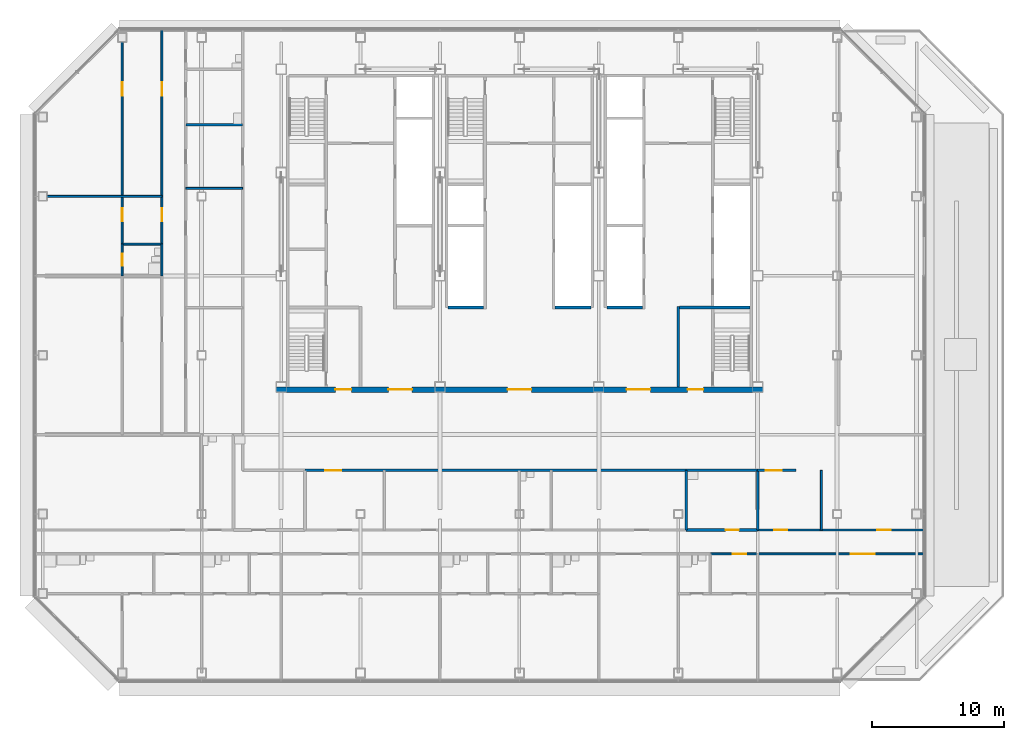
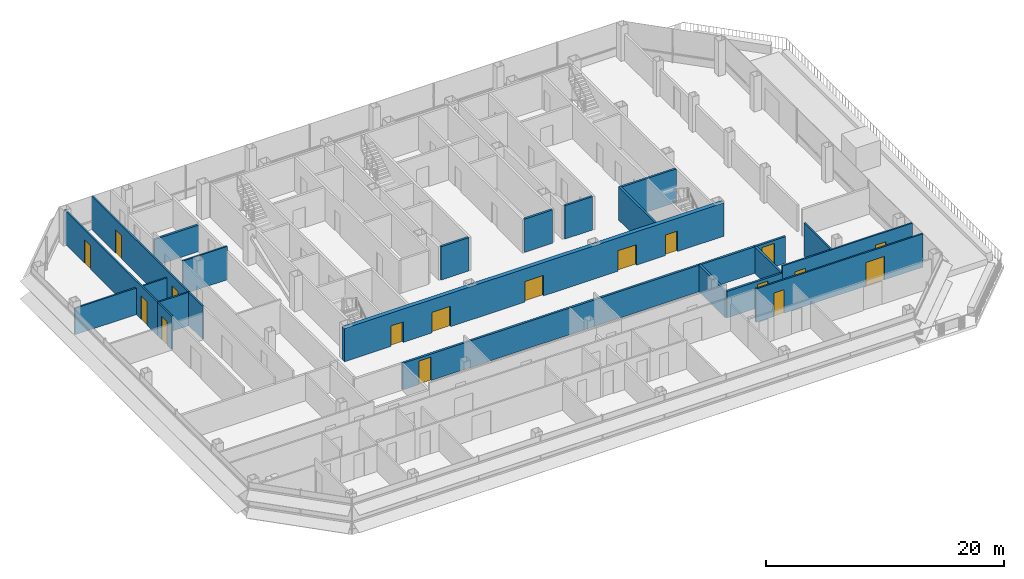
# One storey, part 19 of 27: 23 walls, 17 doors, 17 openings.
"""IFC4 building model written with IfcOpenShell, lengths in metres."""

import ifcopenshell
import ifcopenshell.guid

model = None  # the IFC model being written
_history = None  # IfcOwnerHistory: only IFC2X3 demands one
_inside = {}  # id of a spatial element -> (the spatial element, [elements in it])
_under = {}  # id of a project, library or spatial element -> (it, [spatial elements below it])
_declared = {}  # id of a project -> (the project, [libraries it declares])
_typed = {}  # id of a type object -> (the type object, [elements of that type])
_made_of = {}  # id of a material, layer set ... -> (it, [elements and type objects made of it])


def new_model(schema):
    """Start an empty IFC model of exactly this schema.

    Asked for "IFC4X3", IfcOpenShell would pick the latest addendum, in which some entities
    have other attributes; the version numbers below select the first issue.
    IFC2X3 requires an IfcOwnerHistory on every rooted entity: one is made here for all.
    """
    global model, _history
    if schema == "IFC4X3":
        model = ifcopenshell.file(schema_version=(4, 3, 0, 0))
    else:
        model = ifcopenshell.file(schema=schema)
    _inside.clear()
    _under.clear()
    _declared.clear()
    _typed.clear()
    _made_of.clear()
    _history = None
    if model.schema == "IFC2X3":
        org = make("IfcOrganization", Name="unknown")
        user = make(
            "IfcPersonAndOrganization",
            ThePerson=make("IfcPerson", FamilyName="unknown"),
            TheOrganization=org,
        )
        app = make(
            "IfcApplication",
            ApplicationDeveloper=org,
            Version="unknown",
            ApplicationFullName="unknown",
            ApplicationIdentifier="unknown",
        )
        _history = make(
            "IfcOwnerHistory",
            OwningUser=user,
            OwningApplication=app,
            ChangeAction="ADDED",
            CreationDate=0,
        )
    return model


def make(cls, **values):
    """One entity of the class cls with the attributes given. An attribute that is None is left unset."""
    return model.create_entity(
        cls, **{name: value for name, value in values.items() if value is not None}
    )


def rooted(cls, **values):
    """An entity with a GlobalId (a new one), such as an element, a storey or a relation."""
    return make(cls, GlobalId=ifcopenshell.guid.new(), OwnerHistory=_history, **values)


def si_unit(unit_type, name, prefix=None):
    """IfcSIUnit, for example si_unit("LENGTHUNIT", "METRE", prefix="MILLI")."""
    return make("IfcSIUnit", UnitType=unit_type, Prefix=prefix, Name=name)


def assignment(units):
    """IfcUnitAssignment: the units of a project."""
    return None if units is None else make("IfcUnitAssignment", Units=units)


def point(xyz):
    """IfcCartesianPoint."""
    return None if xyz is None else make("IfcCartesianPoint", Coordinates=xyz)


def direction(xyz):
    """IfcDirection."""
    return None if xyz is None else make("IfcDirection", DirectionRatios=xyz)


def frame(location, z_axis=None, x_axis=None):
    """IfcAxis2Placement3D, a coordinate frame: its origin and axes. An axis left out is left unset."""
    return make(
        "IfcAxis2Placement3D",
        Location=point(location),
        Axis=direction(z_axis),
        RefDirection=direction(x_axis),
    )


def frame_2d(location, x_axis=None):
    """IfcAxis2Placement2D, a coordinate frame in the plane: its origin and x axis."""
    return make(
        "IfcAxis2Placement2D", Location=point(location), RefDirection=direction(x_axis)
    )


def origin():
    """The frame at (0, 0, 0) with its axes left unset."""
    return frame((0.0, 0.0, 0.0))


def place(relative_to, where):
    """IfcLocalPlacement: puts the frame where relative to a parent placement (None: the world)."""
    return make(
        "IfcLocalPlacement", PlacementRelTo=relative_to, RelativePlacement=where
    )


def context(
    kind, dimensions, precision=None, world=None, true_north=None, identifier=None
):
    """IfcGeometricRepresentationContext, for example the 3D "Model" context."""
    return make(
        "IfcGeometricRepresentationContext",
        ContextIdentifier=identifier,
        ContextType=kind,
        CoordinateSpaceDimension=dimensions,
        Precision=precision,
        WorldCoordinateSystem=world,
        TrueNorth=true_north,
    )


def subcontext(parent, identifier, kind, view, scale=None):
    """IfcGeometricRepresentationSubContext, for example "Body" below "Model"."""
    return make(
        "IfcGeometricRepresentationSubContext",
        ContextIdentifier=identifier,
        ContextType=kind,
        ParentContext=parent,
        TargetScale=scale,
        TargetView=view,
    )


def project(units=None, contexts=None):
    """IfcProject with its units and contexts."""
    return rooted(
        "IfcProject",
        Name="project",
        RepresentationContexts=contexts,
        UnitsInContext=assignment(units),
    )


def spatial(cls, under=None, at=None, **own):
    """A site, building, storey or space (cls), placed at a placement, below another one or the project."""
    s = rooted(cls, ObjectPlacement=at, **own)
    if under is not None:
        _under.setdefault(under.id(), (under, []))[1].append(s)
    return s


def profile(cls, at=None, kind="AREA", **sizes):
    """A parametric profile (cls). Its sizes go by their IFC names, for example OverallWidth=200.0."""
    return make(cls, ProfileType=kind, Position=at, **sizes)


def rectangle(**sizes):
    """IfcRectangleProfileDef."""
    return profile("IfcRectangleProfileDef", **sizes)


def extrude(swept, where, along, depth):
    """IfcExtrudedAreaSolid: the profile swept, set in the frame where, extruded along a direction by depth."""
    return make(
        "IfcExtrudedAreaSolid",
        SweptArea=swept,
        Position=where,
        ExtrudedDirection=direction(along),
        Depth=depth,
    )


def shape(context_of_items, identifier, shape_type, items):
    """IfcShapeRepresentation: the items that make up one representation, for example the "Body"."""
    return make(
        "IfcShapeRepresentation",
        ContextOfItems=context_of_items,
        RepresentationIdentifier=identifier,
        RepresentationType=shape_type,
        Items=items,
    )


def material(Name=None, Category=None):
    """IfcMaterial."""
    return make("IfcMaterial", Name=Name, Category=Category)


def layer(
    of_material, thickness, ventilated=None, Name=None, Category=None, Priority=None
):
    """IfcMaterialLayer: one layer of a wall or slab, of a material (None: an air gap)."""
    return make(
        "IfcMaterialLayer",
        Material=of_material,
        LayerThickness=thickness,
        IsVentilated=ventilated,
        Name=Name,
        Category=Category,
        Priority=Priority,
    )


def layer_set(layers, Name=None):
    """IfcMaterialLayerSet."""
    return make("IfcMaterialLayerSet", MaterialLayers=layers, LayerSetName=Name)


def made_of(thing, what):
    """Note that an element or type object is made of a material, layer set ...; save() writes the relation."""
    if what is not None:
        _made_of.setdefault(what.id(), (what, []))[1].append(thing)
    return thing


def type_object(cls, material=None, **own):
    """A type object (cls), such as IfcWallType, which elements share."""
    return made_of(rooted(cls, **own), material)


def element(
    cls,
    number,
    at=None,
    inside=None,
    cuts=None,
    type_object=None,
    material=None,
    context=None,
    identifier="Body",
    shape_type=None,
    held_by="IfcProductDefinitionShape",
    body=None,
    shapes=None,
    **own,
):
    """One element of the class cls, such as IfcWall. Its Tag is "e" and its number.

    at: its placement. inside: the storey or other place that contains it. cuts: it is an
    opening in that element (IfcRelVoidsElement). A single representation is given by context,
    identifier, shape_type and body (its items); several are given by shapes. held_by: the class
    of the entity that holds the representations. save() writes the other relations.
    """
    e = rooted(cls, Tag="e%d" % number, ObjectPlacement=at, **own)
    if body is not None:
        shapes = [shape(context, identifier, shape_type, body)]
    if shapes is not None:
        e.Representation = make(held_by, Representations=shapes)
    if inside is not None:
        _inside.setdefault(inside.id(), (inside, []))[1].append(e)
    if cuts is not None:
        rooted(
            "IfcRelVoidsElement", RelatingBuildingElement=cuts, RelatedOpeningElement=e
        )
    if type_object is not None:
        _typed.setdefault(type_object.id(), (type_object, []))[1].append(e)
    return made_of(e, material)


def fill(opening, filler):
    """IfcRelFillsElement: the door or window that sits in an opening."""
    return rooted(
        "IfcRelFillsElement",
        RelatingOpeningElement=opening,
        RelatedBuildingElement=filler,
    )


def aggregate(whole, parts):
    """IfcRelAggregates: a whole, such as a stair, and the parts it consists of."""
    return rooted("IfcRelAggregates", RelatingObject=whole, RelatedObjects=parts)


def save(model, path):
    """Write the relations noted so far, then the file.

    IfcRelAggregates (storeys below a building ...), IfcRelContainedInSpatialStructure (elements
    in a storey), IfcRelDefinesByType, IfcRelAssociatesMaterial and IfcRelDeclares: one each for
    every whole, place, type object, material and project.
    """
    for whole, parts in _under.values():
        aggregate(whole, parts)
    for where, things in _inside.values():
        rooted(
            "IfcRelContainedInSpatialStructure",
            RelatedElements=things,
            RelatingStructure=where,
        )
    for kind, things in _typed.values():
        rooted("IfcRelDefinesByType", RelatedObjects=things, RelatingType=kind)
    for what, things in _made_of.values():
        rooted("IfcRelAssociatesMaterial", RelatedObjects=things, RelatingMaterial=what)
    for by, libraries in _declared.values():
        rooted("IfcRelDeclares", RelatingContext=by, RelatedDefinitions=libraries)
    model.write(path)


model = new_model("IFC4")

# Units and contexts
model_context = context("Model", 3, precision=1e-05, world=origin(), true_north=direction((0.0, 1.0)))
body_context = subcontext(model_context, "Body", "Model", "MODEL_VIEW")
ifc_project = project(units=[si_unit("LENGTHUNIT", "METRE"), si_unit("AREAUNIT", "SQUARE_METRE"), si_unit("VOLUMEUNIT", "CUBIC_METRE"), si_unit("PLANEANGLEUNIT", "RADIAN"), si_unit("MASSUNIT", "GRAM", prefix="KILO")], contexts=[model_context])

# Site, building, storey
site_placement = place(None, origin())
site = spatial("IfcSite", under=ifc_project, at=site_placement, CompositionType="ELEMENT")
building_placement = place(site_placement, origin())
building = spatial("IfcBuilding", under=site, at=building_placement, Name="Sorahane Residences", CompositionType="ELEMENT")
storey_placement = place(building_placement, frame((0.0, 0.0, 192.0)))
storey = spatial("IfcBuildingStorey", under=building, at=storey_placement, Name="L44", CompositionType="ELEMENT", Elevation=192.0)

# Wall, opening, door
ifc_material_1 = material(Name="Concrete blockwork C20 wall", Category="masonry")
ifc_layer_1 = layer(ifc_material_1, 0.199951171875)
ifc_layer_set_1 = layer_set([ifc_layer_1], Name="Corridor wall 200 EI 120")
wall_type_1 = type_object("IfcWallType", Name="Corridor wall 200 EI 120", PredefinedType="SOLIDWALL", material=ifc_layer_set_1)
wall_1_placement = place(storey_placement, frame((7.800048828125, 15.300048828125, 0.0), z_axis=(0.0, 0.0, 1.0), x_axis=(1.0, 0.0, 0.0)))
wall_1 = element("IfcWall", 1, at=wall_1_placement, inside=storey, type_object=wall_type_1, Name="L44 corridor wall", PredefinedType="SOLIDWALL", context=body_context, shape_type="SweptSolid", body=[
    extrude(rectangle(XDim=28.800048828125, YDim=0.199951171875, at=frame_2d((14.39990234375, 0.0))), origin(), (0.0, 0.0, 1.0), 2.719970703125),
])
opening_1_placement = place(wall_1_placement, frame((1.5400390625, 0.0, 0.0)))
opening_1 = element("IfcOpeningElement", 2, at=opening_1_placement, cuts=wall_1, Name="Opening L44-44", PredefinedType="OPENING", context=body_context, shape_type="SweptSolid", body=[
    extrude(rectangle(XDim=1.199951171875, YDim=2.39990234375, at=frame_2d((0.60009765625, 1.199951171875))), frame((0.0, 0.10986328125, 0.0), z_axis=(0.0, -1.0, 0.0), x_axis=(1.0, 0.0, 0.0)), (0.0, 0.0, 1.0), 0.219970703125),
])
ifc_material_2 = material(Name="Timber veneered fire door", Category="wood")
door_type_1 = type_object("IfcDoorType", Name="Flat entrance door 1200x2400 FD60", OperationType="NOTDEFINED", PredefinedType="DOOR", material=ifc_material_2)
door_1_placement = place(opening_1_placement, frame((1.199951171875, 0.0, 0.0), z_axis=(0.0, 0.0, 1.0), x_axis=(-1.0, 0.0, 0.0)))
door_1 = element("IfcDoor", 3, at=door_1_placement, inside=storey, type_object=door_type_1, Name="Flat entrance door L44-44", OperationType="SINGLE_SWING_LEFT", OverallHeight=2.39990234375, OverallWidth=1.199951171875, PredefinedType="DOOR", context=body_context, shape_type="SweptSolid", body=[
    extrude(rectangle(XDim=1.199951171875, YDim=2.39990234375, at=frame_2d((0.60009765625, 1.199951171875))), frame((0.0, 0.02490234375, 0.0), z_axis=(0.0, -1.0, 0.0), x_axis=(1.0, 0.0, 0.0)), (0.0, 0.0, 1.0), 0.050048828125),
])
fill(opening_1, door_1)

wall_2_placement = place(storey_placement, frame((42.0, 15.300048828125, 0.0), z_axis=(0.0, 0.0, 1.0), x_axis=(1.0, 0.0, 0.0)))
wall_2 = element("IfcWall", 4, at=wall_2_placement, inside=storey, type_object=wall_type_1, Name="L44 corridor wall", PredefinedType="SOLIDWALL", context=body_context, shape_type="SweptSolid", body=[
    extrude(rectangle(XDim=2.89990234375, YDim=0.199951171875, at=frame_2d((1.449951171875, 0.0))), origin(), (0.0, 0.0, 1.0), 2.719970703125),
])
opening_2_placement = place(wall_2_placement, frame((0.610107421875, 0.0, 0.0)))
opening_2 = element("IfcOpeningElement", 5, at=opening_2_placement, cuts=wall_2, Name="Opening L44-45", PredefinedType="OPENING", context=body_context, shape_type="SweptSolid", body=[
    extrude(rectangle(XDim=1.199951171875, YDim=2.39990234375, at=frame_2d((0.60009765625, 1.199951171875))), frame((0.0, 0.10986328125, 0.0), z_axis=(0.0, -1.0, 0.0), x_axis=(1.0, 0.0, 0.0)), (0.0, 0.0, 1.0), 0.219970703125),
])
door_2_placement = place(opening_2_placement, frame((1.199951171875, 0.0, 0.0), z_axis=(0.0, 0.0, 1.0), x_axis=(-1.0, 0.0, 0.0)))
door_2 = element("IfcDoor", 6, at=door_2_placement, inside=storey, type_object=door_type_1, Name="Flat entrance door L44-45", OperationType="SINGLE_SWING_RIGHT", OverallHeight=2.39990234375, OverallWidth=1.199951171875, PredefinedType="DOOR", context=body_context, shape_type="SweptSolid", body=[
    extrude(rectangle(XDim=1.199951171875, YDim=2.39990234375, at=frame_2d((0.60009765625, 1.199951171875))), frame((0.0, 0.02490234375, 0.0), z_axis=(0.0, -1.0, 0.0), x_axis=(1.0, 0.0, 0.0)), (0.0, 0.0, 1.0), 0.050048828125),
])
fill(opening_2, door_2)

# Walls
ifc_material_3 = material(Name="Concrete C30", Category="concrete")
ifc_layer_2 = layer(ifc_material_3, 0.199951171875)
ifc_layer_set_2 = layer_set([ifc_layer_2], Name="Front room wall 200 EI 120")
wall_type_2 = type_object("IfcWallType", Name="Front room wall 200 EI 120", PredefinedType="PARTITIONING", material=ifc_layer_set_2)
wall_3_placement = place(storey_placement, frame((36.0, 21.60009765625, 0.0), z_axis=(0.0, 0.0, 1.0), x_axis=(0.0, 1.0, 0.0)))
element("IfcWall", 7, at=wall_3_placement, inside=storey, type_object=wall_type_2, Name="L44 front room wall", PredefinedType="PARTITIONING", context=body_context, shape_type="SweptSolid", body=[
    extrude(rectangle(XDim=6.099853515625, YDim=0.199951171875, at=frame_2d((3.0498046875, 0.0))), origin(), (0.0, 0.0, 1.0), 3.419921875),
])
ifc_material_4 = material(Name="Concrete blockwork C20 wall", Category="masonry")
ifc_layer_3 = layer(ifc_material_4, 0.199951171875)
ifc_layer_set_3 = layer_set([ifc_layer_3], Name="Kitchen wall 200 EI 180")
wall_type_3 = type_object("IfcWallType", Name="Kitchen wall 200 EI 180", PredefinedType="SOLIDWALL", material=ifc_layer_set_3)
for number, where, z_axis, x_axis, name in (
    (8, (36.60009765625, 10.800048828125, 0.0), (0.0, 0.0, 1.0), (0.0, 1.0, 0.0), "L44 kitchen wall"),
    (9, (42.0, 10.800048828125, 0.0), (0.0, 0.0, 1.0), (0.0, 1.0, 0.0), "L44 kitchen wall"),
):
    element("IfcWall", number, at=place(storey_placement, frame(where, z_axis=z_axis, x_axis=x_axis)), inside=storey, type_object=wall_type_3, Name=name, PredefinedType="SOLIDWALL", context=body_context, shape_type="SweptSolid", body=[
        extrude(rectangle(XDim=4.5, YDim=0.199951171875, at=frame_2d((2.25, 0.0))), origin(), (0.0, 0.0, 1.0), 2.719970703125),
    ])

# Wall, opening, door
wall_4_placement = place(storey_placement, frame((36.60009765625, 10.800048828125, 0.0), z_axis=(0.0, 0.0, 1.0), x_axis=(1.0, 0.0, 0.0)))
wall_4 = element("IfcWall", 10, at=wall_4_placement, inside=storey, type_object=wall_type_3, Name="L44 kitchen wall", PredefinedType="SOLIDWALL", context=body_context, shape_type="SweptSolid", body=[
    extrude(rectangle(XDim=5.39990234375, YDim=0.199951171875, at=frame_2d((2.699951171875, 0.0))), origin(), (0.0, 0.0, 1.0), 2.719970703125),
])
opening_3_placement = place(wall_4_placement, frame((2.97998046875, 0.0, 0.0)))
opening_3 = element("IfcOpeningElement", 11, at=opening_3_placement, cuts=wall_4, Name="Opening L44-21", PredefinedType="OPENING", context=body_context, shape_type="SweptSolid", body=[
    extrude(rectangle(XDim=1.0, YDim=2.39990234375, at=frame_2d((0.5, 1.199951171875))), frame((0.0, 0.10986328125, 0.0), z_axis=(0.0, -1.0, 0.0), x_axis=(1.0, 0.0, 0.0)), (0.0, 0.0, 1.0), 0.219970703125),
])
ifc_material_5 = material(Name="Steel", Category="steel")
door_type_2 = type_object("IfcDoorType", Name="Kitchen door 1000x2400 FD120", OperationType="NOTDEFINED", PredefinedType="DOOR", material=ifc_material_5)
door_3_placement = place(opening_3_placement, origin())
door_3 = element("IfcDoor", 12, at=door_3_placement, inside=storey, type_object=door_type_2, Name="Kitchen door L44-21", OperationType="SINGLE_SWING_LEFT", OverallHeight=2.39990234375, OverallWidth=1.0, PredefinedType="DOOR", context=body_context, shape_type="SweptSolid", body=[
    extrude(rectangle(XDim=1.0, YDim=2.39990234375, at=frame_2d((0.5, 1.199951171875))), frame((0.0, 0.02490234375, 0.0), z_axis=(0.0, -1.0, 0.0), x_axis=(1.0, 0.0, 0.0)), (0.0, 0.0, 1.0), 0.050048828125),
])
fill(opening_3, door_3)

# Walls
wall_5_placement = place(storey_placement, frame((36.60009765625, 15.300048828125, 0.0), z_axis=(0.0, 0.0, 1.0), x_axis=(1.0, 0.0, 0.0)))
element("IfcWall", 13, at=wall_5_placement, inside=storey, type_object=wall_type_3, Name="L44 kitchen wall", PredefinedType="SOLIDWALL", context=body_context, shape_type="SweptSolid", body=[
    extrude(rectangle(XDim=5.39990234375, YDim=0.199951171875, at=frame_2d((2.699951171875, 0.0))), origin(), (0.0, 0.0, 1.0), 2.719970703125),
])
wall_6_placement = place(storey_placement, frame((-1.199951171875, 41.39990234375, 0.0), z_axis=(0.0, 0.0, 1.0), x_axis=(1.0, 0.0, 0.0)))
element("IfcWall", 14, at=wall_6_placement, inside=storey, type_object=wall_type_3, Name="L44 kitchen wall", PredefinedType="SOLIDWALL", context=body_context, shape_type="SweptSolid", body=[
    extrude(rectangle(XDim=4.300048828125, YDim=0.199951171875, at=frame_2d((2.14990234375, 0.0))), origin(), (0.0, 0.0, 1.0), 2.719970703125),
])
ifc_material_6 = material(Name="Concrete C30", Category="concrete")
ifc_layer_4 = layer(ifc_material_6, 0.199951171875)
ifc_layer_set_4 = layer_set([ifc_layer_4], Name="Lift shaft wall 200 EI 120")
wall_type_4 = type_object("IfcWallType", Name="Lift shaft wall 200 EI 120", PredefinedType="SOLIDWALL", material=ifc_layer_set_4)
for number, where, z_axis, x_axis, name in (
    (15, (18.60009765625, 27.60009765625, 0.0), (0.0, 0.0, 1.0), (1.0, 0.0, 0.0), "L44 lift shaft wall"),
    (16, (30.60009765625, 27.60009765625, 0.0), (0.0, 0.0, 1.0), (1.0, 0.0, 0.0), "L44 lift shaft wall"),
):
    element("IfcWall", number, at=place(storey_placement, frame(where, z_axis=z_axis, x_axis=x_axis)), inside=storey, type_object=wall_type_4, Name=name, PredefinedType="SOLIDWALL", context=body_context, shape_type="SweptSolid", body=[
        extrude(rectangle(XDim=2.699951171875, YDim=0.199951171875, at=frame_2d((1.35009765625, 0.0))), origin(), (0.0, 0.0, 1.0), 3.419921875),
    ])

# Wall, openings, doors
ifc_material_7 = material(Name="Gypsum board partition on steel studs", Category="steel")
ifc_layer_5 = layer(ifc_material_7, 0.14990234375)
ifc_layer_set_5 = layer_set([ifc_layer_5], Name="Partition 150 EI 90")
wall_type_5 = type_object("IfcWallType", Name="Partition 150 EI 90", PredefinedType="PARTITIONING", material=ifc_layer_set_5)
wall_7_placement = place(storey_placement, frame((-3.0, 32.39990234375, 0.0), z_axis=(0.0, 0.0, 1.0), x_axis=(0.0, 1.0, 0.0)))
wall_7 = element("IfcWall", 17, at=wall_7_placement, inside=storey, type_object=wall_type_5, Name="L44 partition", PredefinedType="PARTITIONING", context=body_context, shape_type="SweptSolid", body=[
    extrude(rectangle(XDim=16.2001953125, YDim=0.14990234375, at=frame_2d((8.10009765625, 0.0))), origin(), (0.0, 0.0, 1.0), 3.419921875),
])
opening_4_placement = place(wall_7_placement, frame((1.719970703125, 0.0, 0.0)))
opening_4 = element("IfcOpeningElement", 18, at=opening_4_placement, cuts=wall_7, Name="Opening L44-38", PredefinedType="OPENING", context=body_context, shape_type="SweptSolid", body=[
    extrude(rectangle(XDim=1.0, YDim=2.39990234375, at=frame_2d((0.5, 1.199951171875))), frame((0.0, 0.0849609375, 0.0), z_axis=(0.0, -1.0, 0.0), x_axis=(1.0, 0.0, 0.0)), (0.0, 0.0, 1.0), 0.169921875),
])
opening_5_placement = place(wall_7_placement, frame((11.199951171875, 0.0, 0.0)))
opening_5 = element("IfcOpeningElement", 19, at=opening_5_placement, cuts=wall_7, Name="Opening L44-39", PredefinedType="OPENING", context=body_context, shape_type="SweptSolid", body=[
    extrude(rectangle(XDim=1.0, YDim=2.39990234375, at=frame_2d((0.5, 1.199951171875))), frame((0.0, 0.0849609375, 0.0), z_axis=(0.0, -1.0, 0.0), x_axis=(1.0, 0.0, 0.0)), (0.0, 0.0, 1.0), 0.169921875),
])
ifc_material_8 = material(Name="Timber veneered fire door", Category="wood")
door_type_3 = type_object("IfcDoorType", Name="Room door 1000x2400 FD30", OperationType="NOTDEFINED", PredefinedType="DOOR", material=ifc_material_8)
door_4_placement = place(opening_4_placement, origin())
door_4 = element("IfcDoor", 20, at=door_4_placement, inside=storey, type_object=door_type_3, Name="Room door L44-38", OperationType="SINGLE_SWING_LEFT", OverallHeight=2.39990234375, OverallWidth=1.0, PredefinedType="DOOR", context=body_context, shape_type="SweptSolid", body=[
    extrude(rectangle(XDim=1.0, YDim=2.39990234375, at=frame_2d((0.5, 1.199951171875))), frame((0.0, 0.02490234375, 0.0), z_axis=(0.0, -1.0, 0.0), x_axis=(1.0, 0.0, 0.0)), (0.0, 0.0, 1.0), 0.050048828125),
])
fill(opening_4, door_4)
door_5_placement = place(opening_5_placement, origin())
door_5 = element("IfcDoor", 21, at=door_5_placement, inside=storey, type_object=door_type_3, Name="Room door L44-39", OperationType="SINGLE_SWING_RIGHT", OverallHeight=2.39990234375, OverallWidth=1.0, PredefinedType="DOOR", context=body_context, shape_type="SweptSolid", body=[
    extrude(rectangle(XDim=1.0, YDim=2.39990234375, at=frame_2d((0.5, 1.199951171875))), frame((0.0, 0.02490234375, 0.0), z_axis=(0.0, -1.0, 0.0), x_axis=(1.0, 0.0, 0.0)), (0.0, 0.0, 1.0), 0.050048828125),
])
fill(opening_5, door_5)

wall_8_placement = place(storey_placement, frame((-6.0, 32.39990234375, 0.0), z_axis=(0.0, 0.0, 1.0), x_axis=(0.0, 1.0, 0.0)))
wall_8 = element("IfcWall", 22, at=wall_8_placement, inside=storey, type_object=wall_type_5, Name="L44 partition", PredefinedType="PARTITIONING", context=body_context, shape_type="SweptSolid", body=[
    extrude(rectangle(XDim=15.60009765625, YDim=0.14990234375, at=frame_2d((7.800048828125, 0.0))), origin(), (0.0, 0.0, 1.0), 3.419921875),
])
opening_6_placement = place(wall_8_placement, frame((1.719970703125, 0.0, 0.0)))
opening_6 = element("IfcOpeningElement", 23, at=opening_6_placement, cuts=wall_8, Name="Opening L44-41", PredefinedType="OPENING", context=body_context, shape_type="SweptSolid", body=[
    extrude(rectangle(XDim=1.0, YDim=2.39990234375, at=frame_2d((0.5, 1.199951171875))), frame((0.0, 0.0849609375, 0.0), z_axis=(0.0, -1.0, 0.0), x_axis=(1.0, 0.0, 0.0)), (0.0, 0.0, 1.0), 0.169921875),
])
opening_7_placement = place(wall_8_placement, frame((11.199951171875, 0.0, 0.0)))
opening_7 = element("IfcOpeningElement", 24, at=opening_7_placement, cuts=wall_8, Name="Opening L44-43", PredefinedType="OPENING", context=body_context, shape_type="SweptSolid", body=[
    extrude(rectangle(XDim=1.0, YDim=2.39990234375, at=frame_2d((0.5, 1.199951171875))), frame((0.0, 0.0849609375, 0.0), z_axis=(0.0, -1.0, 0.0), x_axis=(1.0, 0.0, 0.0)), (0.0, 0.0, 1.0), 0.169921875),
])
door_6_placement = place(opening_6_placement, origin())
door_6 = element("IfcDoor", 25, at=door_6_placement, inside=storey, type_object=door_type_3, Name="Room door L44-41", OperationType="SINGLE_SWING_RIGHT", OverallHeight=2.39990234375, OverallWidth=1.0, PredefinedType="DOOR", context=body_context, shape_type="SweptSolid", body=[
    extrude(rectangle(XDim=1.0, YDim=2.39990234375, at=frame_2d((0.5, 1.199951171875))), frame((0.0, 0.02490234375, 0.0), z_axis=(0.0, -1.0, 0.0), x_axis=(1.0, 0.0, 0.0)), (0.0, 0.0, 1.0), 0.050048828125),
])
fill(opening_6, door_6)
door_7_placement = place(opening_7_placement, origin())
door_7 = element("IfcDoor", 26, at=door_7_placement, inside=storey, type_object=door_type_3, Name="Room door L44-43", OperationType="SINGLE_SWING_LEFT", OverallHeight=2.39990234375, OverallWidth=1.0, PredefinedType="DOOR", context=body_context, shape_type="SweptSolid", body=[
    extrude(rectangle(XDim=1.0, YDim=2.39990234375, at=frame_2d((0.5, 1.199951171875))), frame((0.0, 0.02490234375, 0.0), z_axis=(0.0, -1.0, 0.0), x_axis=(1.0, 0.0, 0.0)), (0.0, 0.0, 1.0), 0.050048828125),
])
fill(opening_7, door_7)

# Wall
wall_9_placement = place(storey_placement, frame((46.800048828125, 10.800048828125, 0.0), z_axis=(0.0, 0.0, 1.0), x_axis=(0.0, 1.0, 0.0)))
element("IfcWall", 27, at=wall_9_placement, inside=storey, type_object=wall_type_5, Name="L44 partition", PredefinedType="PARTITIONING", context=body_context, shape_type="SweptSolid", body=[
    extrude(rectangle(XDim=4.5, YDim=0.14990234375, at=frame_2d((2.25, 0.0))), origin(), (0.0, 0.0, 1.0), 3.419921875),
])

# Wall, openings, doors
wall_10_placement = place(storey_placement, frame((42.0, 10.800048828125, 0.0), z_axis=(0.0, 0.0, 1.0), x_axis=(1.0, 0.0, 0.0)))
wall_10 = element("IfcWall", 28, at=wall_10_placement, inside=storey, type_object=wall_type_5, Name="L44 partition", PredefinedType="PARTITIONING", context=body_context, shape_type="SweptSolid", body=[
    extrude(rectangle(XDim=12.60009765625, YDim=0.14990234375, at=frame_2d((6.300048828125, 0.0))), origin(), (0.0, 0.0, 1.0), 3.419921875),
])
opening_8_placement = place(wall_10_placement, frame((1.239990234375, 0.0, 0.0)))
opening_8 = element("IfcOpeningElement", 29, at=opening_8_placement, cuts=wall_10, Name="Opening L44-18", PredefinedType="OPENING", context=body_context, shape_type="SweptSolid", body=[
    extrude(rectangle(XDim=1.0, YDim=2.39990234375, at=frame_2d((0.5, 1.199951171875))), frame((0.0, 0.0849609375, 0.0), z_axis=(0.0, -1.0, 0.0), x_axis=(1.0, 0.0, 0.0)), (0.0, 0.0, 1.0), 0.169921875),
])
opening_9_placement = place(wall_10_placement, frame((9.0400390625, 0.0, 0.0)))
opening_9 = element("IfcOpeningElement", 30, at=opening_9_placement, cuts=wall_10, Name="Opening L44-22", PredefinedType="OPENING", context=body_context, shape_type="SweptSolid", body=[
    extrude(rectangle(XDim=1.0, YDim=2.39990234375, at=frame_2d((0.5, 1.199951171875))), frame((0.0, 0.0849609375, 0.0), z_axis=(0.0, -1.0, 0.0), x_axis=(1.0, 0.0, 0.0)), (0.0, 0.0, 1.0), 0.169921875),
])
door_8_placement = place(opening_8_placement, frame((1.0, 0.0, 0.0), z_axis=(0.0, 0.0, 1.0), x_axis=(-1.0, 0.0, 0.0)))
door_8 = element("IfcDoor", 31, at=door_8_placement, inside=storey, type_object=door_type_3, Name="Room door L44-18", OperationType="SINGLE_SWING_LEFT", OverallHeight=2.39990234375, OverallWidth=1.0, PredefinedType="DOOR", context=body_context, shape_type="SweptSolid", body=[
    extrude(rectangle(XDim=1.0, YDim=2.39990234375, at=frame_2d((0.5, 1.199951171875))), frame((0.0, 0.02490234375, 0.0), z_axis=(0.0, -1.0, 0.0), x_axis=(1.0, 0.0, 0.0)), (0.0, 0.0, 1.0), 0.050048828125),
])
fill(opening_8, door_8)
door_9_placement = place(opening_9_placement, origin())
door_9 = element("IfcDoor", 32, at=door_9_placement, inside=storey, type_object=door_type_3, Name="Room door L44-22", OperationType="SINGLE_SWING_RIGHT", OverallHeight=2.39990234375, OverallWidth=1.0, PredefinedType="DOOR", context=body_context, shape_type="SweptSolid", body=[
    extrude(rectangle(XDim=1.0, YDim=2.39990234375, at=frame_2d((0.5, 1.199951171875))), frame((0.0, 0.02490234375, 0.0), z_axis=(0.0, -1.0, 0.0), x_axis=(1.0, 0.0, 0.0)), (0.0, 0.0, 1.0), 0.050048828125),
])
fill(opening_9, door_9)

# Walls
wall_11_placement = place(storey_placement, frame((-12.0, 36.0, 0.0), z_axis=(0.0, 0.0, 1.0), x_axis=(1.0, 0.0, 0.0)))
element("IfcWall", 33, at=wall_11_placement, inside=storey, type_object=wall_type_5, Name="L44 partition", PredefinedType="PARTITIONING", context=body_context, shape_type="SweptSolid", body=[
    extrude(rectangle(XDim=9.0, YDim=0.14990234375, at=frame_2d((4.5, 0.0))), origin(), (0.0, 0.0, 1.0), 2.719970703125),
])
wall_12_placement = place(storey_placement, frame((-1.199951171875, 36.60009765625, 0.0), z_axis=(0.0, 0.0, 1.0), x_axis=(1.0, 0.0, 0.0)))
element("IfcWall", 34, at=wall_12_placement, inside=storey, type_object=wall_type_5, Name="L44 partition", PredefinedType="PARTITIONING", context=body_context, shape_type="SweptSolid", body=[
    extrude(rectangle(XDim=4.300048828125, YDim=0.14990234375, at=frame_2d((2.14990234375, 0.0))), origin(), (0.0, 0.0, 1.0), 3.419921875),
])

# Wall, openings, doors
wall_13_placement = place(storey_placement, frame((38.39990234375, 9.0, 0.0), z_axis=(0.0, 0.0, 1.0), x_axis=(1.0, 0.0, 0.0)))
wall_13 = element("IfcWall", 35, at=wall_13_placement, inside=storey, type_object=wall_type_5, Name="L44 partition", PredefinedType="PARTITIONING", context=body_context, shape_type="SweptSolid", body=[
    extrude(rectangle(XDim=16.2001953125, YDim=0.14990234375, at=frame_2d((8.10009765625, 0.0))), origin(), (0.0, 0.0, 1.0), 3.419921875),
])
opening_10_placement = place(wall_13_placement, frame((1.719970703125, 0.0, 0.0)))
opening_10 = element("IfcOpeningElement", 36, at=opening_10_placement, cuts=wall_13, Name="Opening L44-25", PredefinedType="OPENING", context=body_context, shape_type="SweptSolid", body=[
    extrude(rectangle(XDim=1.0, YDim=2.39990234375, at=frame_2d((0.5, 1.199951171875))), frame((0.0, 0.0849609375, 0.0), z_axis=(0.0, -1.0, 0.0), x_axis=(1.0, 0.0, 0.0)), (0.0, 0.0, 1.0), 0.169921875),
])
opening_11_placement = place(wall_13_placement, frame((10.639892578125, 0.0, 0.0)))
opening_11 = element("IfcOpeningElement", 37, at=opening_11_placement, cuts=wall_13, Name="Opening L44-26", PredefinedType="OPENING", context=body_context, shape_type="SweptSolid", body=[
    extrude(rectangle(XDim=1.800048828125, YDim=2.39990234375, at=frame_2d((0.89990234375, 1.199951171875))), frame((0.0, 0.0849609375, 0.0), z_axis=(0.0, -1.0, 0.0), x_axis=(1.0, 0.0, 0.0)), (0.0, 0.0, 1.0), 0.169921875),
])
ifc_material_9 = material(Name="Timber veneered fire door", Category="wood")
door_type_4 = type_object("IfcDoorType", Name="Double door 1800x2400 FD30", OperationType="NOTDEFINED", PredefinedType="DOOR", material=ifc_material_9)
door_10_placement = place(opening_11_placement, frame((1.800048828125, 0.0, 0.0), z_axis=(0.0, 0.0, 1.0), x_axis=(-1.0, 0.0, 0.0)))
door_10 = element("IfcDoor", 38, at=door_10_placement, inside=storey, type_object=door_type_4, Name="Double door L44-26", OperationType="SINGLE_SWING_RIGHT", OverallHeight=2.39990234375, OverallWidth=1.800048828125, PredefinedType="DOOR", context=body_context, shape_type="SweptSolid", body=[
    extrude(rectangle(XDim=1.800048828125, YDim=2.39990234375, at=frame_2d((0.89990234375, 1.199951171875))), frame((0.0, 0.02490234375, 0.0), z_axis=(0.0, -1.0, 0.0), x_axis=(1.0, 0.0, 0.0)), (0.0, 0.0, 1.0), 0.050048828125),
])
fill(opening_11, door_10)
door_11_placement = place(opening_10_placement, frame((1.0, 0.0, 0.0), z_axis=(0.0, 0.0, 1.0), x_axis=(-1.0, 0.0, 0.0)))
door_11 = element("IfcDoor", 39, at=door_11_placement, inside=storey, type_object=door_type_3, Name="Room door L44-25", OperationType="SINGLE_SWING_LEFT", OverallHeight=2.39990234375, OverallWidth=1.0, PredefinedType="DOOR", context=body_context, shape_type="SweptSolid", body=[
    extrude(rectangle(XDim=1.0, YDim=2.39990234375, at=frame_2d((0.5, 1.199951171875))), frame((0.0, 0.02490234375, 0.0), z_axis=(0.0, -1.0, 0.0), x_axis=(1.0, 0.0, 0.0)), (0.0, 0.0, 1.0), 0.050048828125),
])
fill(opening_10, door_11)

# Walls
ifc_material_10 = material(Name="Concrete C30", Category="concrete")
ifc_layer_6 = layer(ifc_material_10, 0.199951171875)
ifc_layer_set_6 = layer_set([ifc_layer_6], Name="Riser shaft wall 200 EI 120")
wall_type_6 = type_object("IfcWallType", Name="Riser shaft wall 200 EI 120", PredefinedType="SOLIDWALL", material=ifc_layer_set_6)
wall_14_placement = place(storey_placement, frame((26.699951171875, 27.60009765625, 0.0), z_axis=(0.0, 0.0, 1.0), x_axis=(1.0, 0.0, 0.0)))
element("IfcWall", 40, at=wall_14_placement, inside=storey, type_object=wall_type_6, Name="L44 riser wall", PredefinedType="SOLIDWALL", context=body_context, shape_type="SweptSolid", body=[
    extrude(rectangle(XDim=2.699951171875, YDim=0.199951171875, at=frame_2d((1.35009765625, 0.0))), origin(), (0.0, 0.0, 1.0), 3.419921875),
])
ifc_material_11 = material(Name="Concrete C30", Category="concrete")
ifc_layer_7 = layer(ifc_material_11, 0.199951171875)
ifc_layer_set_7 = layer_set([ifc_layer_7], Name="Stair enclosure wall 200 EI 120")
wall_type_7 = type_object("IfcWallType", Name="Stair enclosure wall 200 EI 120", PredefinedType="SOLIDWALL", material=ifc_layer_set_7)
wall_15_placement = place(storey_placement, frame((36.10009765625, 27.60009765625, 0.0), z_axis=(0.0, 0.0, 1.0), x_axis=(1.0, 0.0, 0.0)))
element("IfcWall", 41, at=wall_15_placement, inside=storey, type_object=wall_type_7, Name="L44 stair enclosure wall", PredefinedType="SOLIDWALL", context=body_context, shape_type="SweptSolid", body=[
    extrude(rectangle(XDim=5.2998046875, YDim=0.199951171875, at=frame_2d((2.64990234375, 0.0))), origin(), (0.0, 0.0, 1.0), 3.419921875),
])

# Wall, openings, doors
ifc_material_12 = material(Name="Concrete C30", Category="concrete")
ifc_layer_8 = layer(ifc_material_12, 0.39990234375)
ifc_layer_set_8 = layer_set([ifc_layer_8], Name="Waiting hall wall 400 EI 120")
wall_type_8 = type_object("IfcWallType", Name="Waiting hall wall 400 EI 120", PredefinedType="SOLIDWALL", material=ifc_layer_set_8)
wall_16_placement = place(storey_placement, frame((5.60009765625, 21.39990234375, 0.0), z_axis=(0.0, 0.0, 1.0), x_axis=(1.0, 0.0, 0.0)))
wall_16 = element("IfcWall", 42, at=wall_16_placement, inside=storey, type_object=wall_type_8, Name="L44 waiting hall wall", PredefinedType="SOLIDWALL", context=body_context, shape_type="SweptSolid", body=[
    extrude(rectangle(XDim=36.7998046875, YDim=0.39990234375, at=frame_2d((18.39990234375, 0.0))), origin(), (0.0, 0.0, 1.0), 3.419921875),
])
opening_12_placement = place(wall_16_placement, frame((8.5, 0.0, 0.0)))
opening_12 = element("IfcOpeningElement", 43, at=opening_12_placement, cuts=wall_16, Name="Opening L44-C01", PredefinedType="OPENING", context=body_context, shape_type="SweptSolid", body=[
    extrude(rectangle(XDim=1.800048828125, YDim=2.10009765625, at=frame_2d((0.89990234375, 1.050048828125))), frame((0.0, 0.2099609375, 0.0), z_axis=(0.0, -1.0, 0.0), x_axis=(1.0, 0.0, 0.0)), (0.0, 0.0, 1.0), 0.419921875),
])
opening_13_placement = place(wall_16_placement, frame((17.5, 0.0, 0.0)))
opening_13 = element("IfcOpeningElement", 44, at=opening_13_placement, cuts=wall_16, Name="Opening L44-C02", PredefinedType="OPENING", context=body_context, shape_type="SweptSolid", body=[
    extrude(rectangle(XDim=1.800048828125, YDim=2.10009765625, at=frame_2d((0.89990234375, 1.050048828125))), frame((0.0, 0.2099609375, 0.0), z_axis=(0.0, -1.0, 0.0), x_axis=(1.0, 0.0, 0.0)), (0.0, 0.0, 1.0), 0.419921875),
])
opening_14_placement = place(wall_16_placement, frame((26.5, 0.0, 0.0)))
opening_14 = element("IfcOpeningElement", 45, at=opening_14_placement, cuts=wall_16, Name="Opening L44-C03", PredefinedType="OPENING", context=body_context, shape_type="SweptSolid", body=[
    extrude(rectangle(XDim=1.800048828125, YDim=2.10009765625, at=frame_2d((0.89990234375, 1.050048828125))), frame((0.0, 0.2099609375, 0.0), z_axis=(0.0, -1.0, 0.0), x_axis=(1.0, 0.0, 0.0)), (0.0, 0.0, 1.0), 0.419921875),
])
opening_15_placement = place(wall_16_placement, frame((4.5, 0.0, 0.0)))
opening_15 = element("IfcOpeningElement", 46, at=opening_15_placement, cuts=wall_16, Name="Opening L44-C04", PredefinedType="OPENING", context=body_context, shape_type="SweptSolid", body=[
    extrude(rectangle(XDim=1.199951171875, YDim=2.10009765625, at=frame_2d((0.60009765625, 1.050048828125))), frame((0.0, 0.2099609375, 0.0), z_axis=(0.0, -1.0, 0.0), x_axis=(1.0, 0.0, 0.0)), (0.0, 0.0, 1.0), 0.419921875),
])
opening_16_placement = place(wall_16_placement, frame((31.10009765625, 0.0, 0.0)))
opening_16 = element("IfcOpeningElement", 47, at=opening_16_placement, cuts=wall_16, Name="Opening L44-C05", PredefinedType="OPENING", context=body_context, shape_type="SweptSolid", body=[
    extrude(rectangle(XDim=1.199951171875, YDim=2.10009765625, at=frame_2d((0.60009765625, 1.050048828125))), frame((0.0, 0.2099609375, 0.0), z_axis=(0.0, -1.0, 0.0), x_axis=(1.0, 0.0, 0.0)), (0.0, 0.0, 1.0), 0.419921875),
])
ifc_material_13 = material(Name="Steel", Category="steel")
door_type_5 = type_object("IfcDoorType", Name="Stair front room door 1200x2100 FD120", OperationType="NOTDEFINED", PredefinedType="DOOR", material=ifc_material_13)
door_12_placement = place(opening_15_placement, frame((1.199951171875, 0.0, 0.0), z_axis=(0.0, 0.0, 1.0), x_axis=(-1.0, 0.0, 0.0)))
door_12 = element("IfcDoor", 48, at=door_12_placement, inside=storey, type_object=door_type_5, Name="Stair front room door Stair S4 front room L44", OperationType="SINGLE_SWING_LEFT", OverallHeight=2.10009765625, OverallWidth=1.199951171875, PredefinedType="DOOR", context=body_context, shape_type="SweptSolid", body=[
    extrude(rectangle(XDim=1.199951171875, YDim=2.10009765625, at=frame_2d((0.60009765625, 1.050048828125))), frame((0.0, 0.02490234375, 0.0), z_axis=(0.0, -1.0, 0.0), x_axis=(1.0, 0.0, 0.0)), (0.0, 0.0, 1.0), 0.050048828125),
])
fill(opening_15, door_12)
door_13_placement = place(opening_16_placement, frame((1.199951171875, 0.0, 0.0), z_axis=(0.0, 0.0, 1.0), x_axis=(-1.0, 0.0, 0.0)))
door_13 = element("IfcDoor", 49, at=door_13_placement, inside=storey, type_object=door_type_5, Name="Stair front room door Stair S5 front room L44", OperationType="SINGLE_SWING_LEFT", OverallHeight=2.10009765625, OverallWidth=1.199951171875, PredefinedType="DOOR", context=body_context, shape_type="SweptSolid", body=[
    extrude(rectangle(XDim=1.199951171875, YDim=2.10009765625, at=frame_2d((0.60009765625, 1.050048828125))), frame((0.0, 0.02490234375, 0.0), z_axis=(0.0, -1.0, 0.0), x_axis=(1.0, 0.0, 0.0)), (0.0, 0.0, 1.0), 0.050048828125),
])
fill(opening_16, door_13)
ifc_material_14 = material(Name="Steel", Category="steel")
door_type_6 = type_object("IfcDoorType", Name="Waiting hall door 1800x2100 FD60", OperationType="NOTDEFINED", PredefinedType="DOOR", material=ifc_material_14)
door_14_placement = place(opening_12_placement, frame((1.800048828125, 0.0, 0.0), z_axis=(0.0, 0.0, 1.0), x_axis=(-1.0, 0.0, 0.0)))
door_14 = element("IfcDoor", 50, at=door_14_placement, inside=storey, type_object=door_type_6, Name="Waiting hall door Residents' waiting hall L44", OperationType="SINGLE_SWING_LEFT", OverallHeight=2.10009765625, OverallWidth=1.800048828125, PredefinedType="DOOR", context=body_context, shape_type="SweptSolid", body=[
    extrude(rectangle(XDim=1.800048828125, YDim=2.10009765625, at=frame_2d((0.89990234375, 1.050048828125))), frame((0.0, 0.02490234375, 0.0), z_axis=(0.0, -1.0, 0.0), x_axis=(1.0, 0.0, 0.0)), (0.0, 0.0, 1.0), 0.050048828125),
])
fill(opening_12, door_14)
door_15_placement = place(opening_13_placement, frame((1.800048828125, 0.0, 0.0), z_axis=(0.0, 0.0, 1.0), x_axis=(-1.0, 0.0, 0.0)))
door_15 = element("IfcDoor", 51, at=door_15_placement, inside=storey, type_object=door_type_6, Name="Waiting hall door Residents' waiting hall L44", OperationType="SINGLE_SWING_LEFT", OverallHeight=2.10009765625, OverallWidth=1.800048828125, PredefinedType="DOOR", context=body_context, shape_type="SweptSolid", body=[
    extrude(rectangle(XDim=1.800048828125, YDim=2.10009765625, at=frame_2d((0.89990234375, 1.050048828125))), frame((0.0, 0.02490234375, 0.0), z_axis=(0.0, -1.0, 0.0), x_axis=(1.0, 0.0, 0.0)), (0.0, 0.0, 1.0), 0.050048828125),
])
fill(opening_13, door_15)
door_16_placement = place(opening_14_placement, frame((1.800048828125, 0.0, 0.0), z_axis=(0.0, 0.0, 1.0), x_axis=(-1.0, 0.0, 0.0)))
door_16 = element("IfcDoor", 52, at=door_16_placement, inside=storey, type_object=door_type_6, Name="Waiting hall door Residents' waiting hall L44", OperationType="SINGLE_SWING_LEFT", OverallHeight=2.10009765625, OverallWidth=1.800048828125, PredefinedType="DOOR", context=body_context, shape_type="SweptSolid", body=[
    extrude(rectangle(XDim=1.800048828125, YDim=2.10009765625, at=frame_2d((0.89990234375, 1.050048828125))), frame((0.0, 0.02490234375, 0.0), z_axis=(0.0, -1.0, 0.0), x_axis=(1.0, 0.0, 0.0)), (0.0, 0.0, 1.0), 0.050048828125),
])
fill(opening_14, door_16)

# Wall
ifc_material_15 = material(Name="Gypsum board partition on steel studs", Category="steel")
ifc_layer_9 = layer(ifc_material_15, 0.14990234375)
ifc_layer_set_9 = layer_set([ifc_layer_9], Name="Wet wall 150 EI 90")
wall_type_9 = type_object("IfcWallType", Name="Wet wall 150 EI 90", PredefinedType="PARTITIONING", material=ifc_layer_set_9)
wall_17_placement = place(storey_placement, frame((-3.0, 30.0, 0.0), z_axis=(0.0, 0.0, 1.0), x_axis=(0.0, 1.0, 0.0)))
element("IfcWall", 53, at=wall_17_placement, inside=storey, type_object=wall_type_9, Name="L44 wet wall", PredefinedType="PARTITIONING", context=body_context, shape_type="SweptSolid", body=[
    extrude(rectangle(XDim=2.39990234375, YDim=0.14990234375, at=frame_2d((1.199951171875, 0.0))), origin(), (0.0, 0.0, 1.0), 3.419921875),
])

# Wall, opening, door
wall_18_placement = place(storey_placement, frame((-6.0, 30.0, 0.0), z_axis=(0.0, 0.0, 1.0), x_axis=(0.0, 1.0, 0.0)))
wall_18 = element("IfcWall", 54, at=wall_18_placement, inside=storey, type_object=wall_type_9, Name="L44 wet wall", PredefinedType="PARTITIONING", context=body_context, shape_type="SweptSolid", body=[
    extrude(rectangle(XDim=2.39990234375, YDim=0.14990234375, at=frame_2d((1.199951171875, 0.0))), origin(), (0.0, 0.0, 1.0), 3.419921875),
])
opening_17_placement = place(wall_18_placement, frame((0.75, 0.0, 0.0)))
opening_17 = element("IfcOpeningElement", 55, at=opening_17_placement, cuts=wall_18, Name="Opening L44-42", PredefinedType="OPENING", context=body_context, shape_type="SweptSolid", body=[
    extrude(rectangle(XDim=0.89990234375, YDim=2.39990234375, at=frame_2d((0.449951171875, 1.199951171875))), frame((0.0, 0.0849609375, 0.0), z_axis=(0.0, -1.0, 0.0), x_axis=(1.0, 0.0, 0.0)), (0.0, 0.0, 1.0), 0.169921875),
])
ifc_material_16 = material(Name="Timber veneered fire door", Category="wood")
door_type_7 = type_object("IfcDoorType", Name="Bathroom door 900x2400 FD30", OperationType="NOTDEFINED", PredefinedType="DOOR", material=ifc_material_16)
door_17_placement = place(opening_17_placement, origin())
door_17 = element("IfcDoor", 56, at=door_17_placement, inside=storey, type_object=door_type_7, Name="Bathroom door L44-42", OperationType="SINGLE_SWING_LEFT", OverallHeight=2.39990234375, OverallWidth=0.89990234375, PredefinedType="DOOR", context=body_context, shape_type="SweptSolid", body=[
    extrude(rectangle(XDim=0.89990234375, YDim=2.39990234375, at=frame_2d((0.449951171875, 1.199951171875))), frame((0.0, 0.02490234375, 0.0), z_axis=(0.0, -1.0, 0.0), x_axis=(1.0, 0.0, 0.0)), (0.0, 0.0, 1.0), 0.050048828125),
])
fill(opening_17, door_17)

# Wall
wall_19_placement = place(storey_placement, frame((-6.0, 32.39990234375, 0.0), z_axis=(0.0, 0.0, 1.0), x_axis=(1.0, 0.0, 0.0)))
element("IfcWall", 57, at=wall_19_placement, inside=storey, type_object=wall_type_9, Name="L44 wet wall", PredefinedType="PARTITIONING", context=body_context, shape_type="SweptSolid", body=[
    extrude(rectangle(XDim=3.0, YDim=0.14990234375, at=frame_2d((1.5, 0.0))), origin(), (0.0, 0.0, 1.0), 3.419921875),
])

save(model, "model.ifc")
